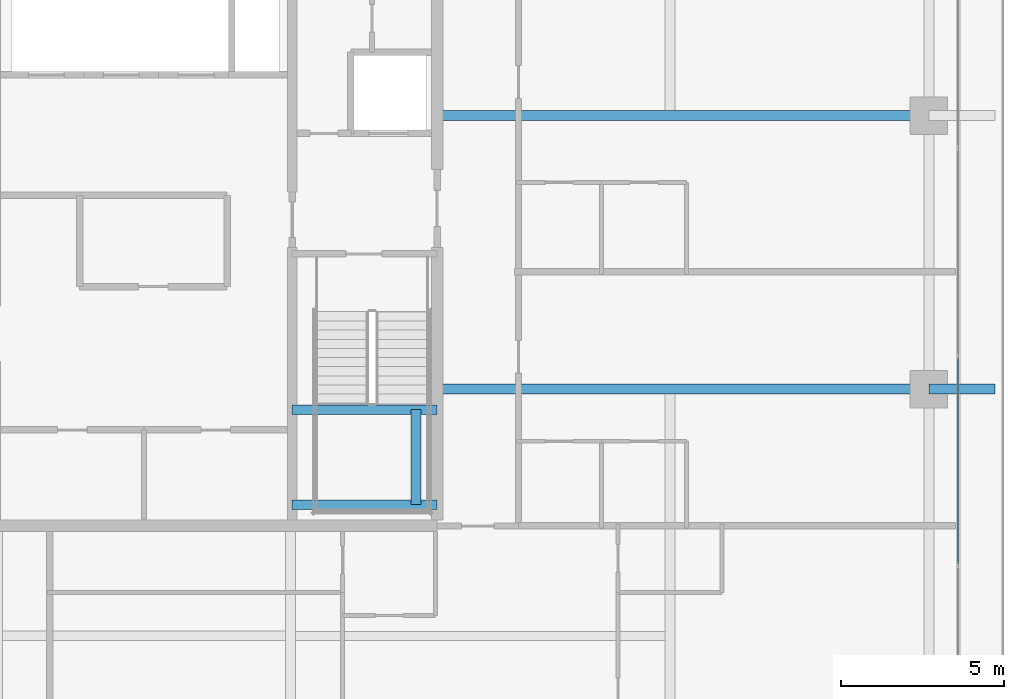
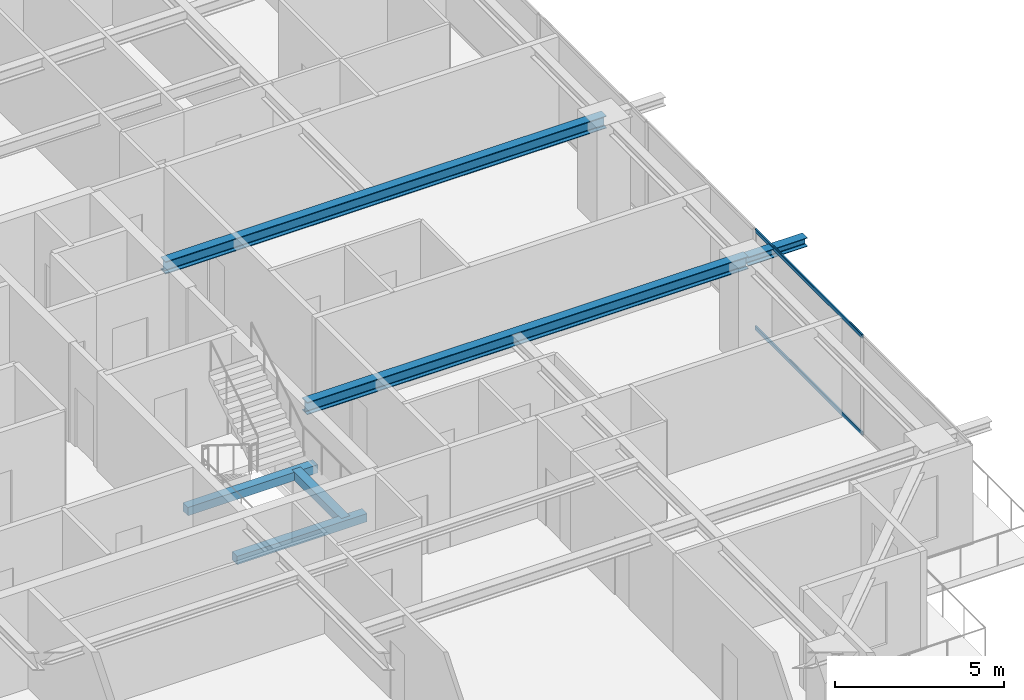
# One storey, part 15 of 38: 6 beams, 2 members, 1 element without a shape of its own.
"""IFC4 building model written with IfcOpenShell, lengths in metres."""

from ifc_helpers import new_model, si_unit, direction, frame, origin, origin_2d, place, context, subcontext, project, spatial, rectangle, hollow_rectangle, i_section, extrude, source, transform, mapped, material, layer, layer_set, material_profile, profile_set, type_object, element, aggregate, save


model = new_model("IFC4")

# Units and contexts
model_context = context("Model", 3, precision=1e-05, world=origin(), true_north=direction((0.0, 1.0)))
body_context = subcontext(model_context, "Body", "Model", "MODEL_VIEW")
ifc_project = project(units=[si_unit("LENGTHUNIT", "METRE"), si_unit("AREAUNIT", "SQUARE_METRE"), si_unit("VOLUMEUNIT", "CUBIC_METRE"), si_unit("PLANEANGLEUNIT", "RADIAN"), si_unit("MASSUNIT", "GRAM", prefix="KILO")], contexts=[model_context])

# Site, building, storey
site_placement = place(None, origin())
site = spatial("IfcSite", under=ifc_project, at=site_placement, CompositionType="ELEMENT")
building_placement = place(site_placement, origin())
building = spatial("IfcBuilding", under=site, at=building_placement, Name="Serunith Strait Residences", CompositionType="ELEMENT")
storey_placement = place(building_placement, frame((0.0, 0.0, 237.39990234375)))
storey = spatial("IfcBuildingStorey", under=building, at=storey_placement, Name="L59", CompositionType="ELEMENT", Elevation=237.39990234375)

# Beams
ifc_material_1 = material(Name="Steel S355J2", Category="steel")
ifc_material_profile_1 = material_profile(ifc_material_1, i_section(OverallWidth=0.300048828125, OverallDepth=0.449951171875, WebThickness=0.013916015625, FlangeThickness=0.02587890625, FilletRadius=0.027099609375, at=origin_2d()), Name="HEB 450")
ifc_profile_set_1 = profile_set([ifc_material_profile_1], Name="Steel S355J2")
beam_type_1 = type_object("IfcBeamType", Name="BM-HEB450", PredefinedType="BEAM", material=ifc_profile_set_1)
shared_shape_1 = source(origin(), body_context, "Body", "SweptSolid", [
    extrude(i_section(OverallWidth=0.300048828125, OverallDepth=0.449951171875, WebThickness=0.013916015625, FlangeThickness=0.02587890625, FilletRadius=0.027099609375, at=origin_2d()), origin(), (0.0, 0.0, 1.0), 15.10009765625),
])
for number, where, z_axis, x_axis, name in (
    (1, (41.39990234375, 21.0, 3.362060546875), (1.0, 0.0, 0.0), (0.0, 1.0, 0.0), "L59 Primary Floor Girder TC-E2"),
    (2, (41.39990234375, 29.39990234375, 3.362060546875), (1.0, 0.0, 0.0), (0.0, 1.0, 0.0), "L59 Primary Floor Girder TC-E3"),
):
    element("IfcBeam", number, at=place(storey_placement, frame(where, z_axis=z_axis, x_axis=x_axis)), inside=storey, type_object=beam_type_1, Name=name, PredefinedType="BEAM", context=body_context, shape_type="MappedRepresentation", body=[
        mapped(shared_shape_1, transform((0.0, 0.0, 0.0), scale=1.0)),
    ])
ifc_material_profile_2 = material_profile(ifc_material_1, i_section(OverallWidth=0.300048828125, OverallDepth=0.320068359375, WebThickness=0.011474609375, FlangeThickness=0.0205078125, FilletRadius=0.027099609375, at=origin_2d()), Name="HEB 320")
ifc_profile_set_2 = profile_set([ifc_material_profile_2], Name="Steel S355J2")
beam_type_2 = type_object("IfcBeamType", Name="BM-HEB320", PredefinedType="BEAM", material=ifc_profile_set_2)
shared_shape_2 = source(origin(), body_context, "Body", "SweptSolid", [
    extrude(i_section(OverallWidth=0.300048828125, OverallDepth=0.320068359375, WebThickness=0.011474609375, FlangeThickness=0.0205078125, FilletRadius=0.027099609375, at=origin_2d()), origin(), (0.0, 0.0, 1.0), 2.030029296875),
])
beam_1_placement = place(storey_placement, frame((56.5, 21.0, 3.397216796875), z_axis=(1.0, 0.0, 0.0), x_axis=(0.0, 1.0, 0.0)))
element("IfcBeam", 3, at=beam_1_placement, inside=storey, type_object=beam_type_2, Name="L60 Cantilevered Balcony Rib TC-E2", PredefinedType="BEAM", context=body_context, shape_type="MappedRepresentation", body=[
    mapped(shared_shape_2, transform((0.0, 0.0, 0.0), scale=1.0)),
])
ifc_material_2 = material(Name="Concrete C60/75", Category="concrete")
ifc_material_profile_3 = material_profile(ifc_material_2, rectangle(XDim=0.300048828125, YDim=0.300048828125, at=origin_2d()), Name="RC 300x300")
ifc_profile_set_3 = profile_set([ifc_material_profile_3], Name="Concrete C60/75")
beam_type_3 = type_object("IfcBeamType", Name="BM-LAND-300x300", PredefinedType="BEAM", material=ifc_profile_set_3)
shared_shape_3 = source(origin(), body_context, "Body", "SweptSolid", [
    extrude(rectangle(XDim=0.300048828125, YDim=0.300048828125, at=origin_2d()), origin(), (0.0, 0.0, 1.0), 4.449951171875),
])
for number, where, z_axis, x_axis, name in (
    (4, (36.949951171875, 17.449951171875, 1.5751953125), (1.0, 0.0, 0.0), (0.0, 1.0, 0.0), "L59 ST-2 Landing Support Beam 1"),
    (5, (36.949951171875, 20.3701171875, 1.5751953125), (1.0, 0.0, 0.0), (0.0, 1.0, 0.0), "L59 ST-2 Landing Support Beam 2"),
):
    element("IfcBeam", number, at=place(storey_placement, frame(where, z_axis=z_axis, x_axis=x_axis)), inside=storey, type_object=beam_type_3, Name=name, PredefinedType="BEAM", context=body_context, shape_type="MappedRepresentation", body=[
        mapped(shared_shape_3, transform((0.0, 0.0, 0.0), scale=1.0)),
    ])
shared_shape_4 = source(origin(), body_context, "Body", "SweptSolid", [
    extrude(rectangle(XDim=0.300048828125, YDim=0.300048828125, at=origin_2d()), origin(), (0.0, 0.0, 1.0), 2.920166015625),
])
beam_2_placement = place(storey_placement, frame((40.75, 17.449951171875, 1.5751953125), z_axis=(0.0, 1.0, 0.0), x_axis=(-1.0, 0.0, 0.0)))
element("IfcBeam", 6, at=beam_2_placement, inside=storey, type_object=beam_type_3, Name="L59 ST-2 Landing Transverse Tie Beam", PredefinedType="BEAM", context=body_context, shape_type="MappedRepresentation", body=[
    mapped(shared_shape_4, transform((0.0, 0.0, 0.0), scale=1.0)),
])

# Curtain wall, members
ifc_material_3 = material(Name="Pale-Champagne Anodised Aluminium", Category="aluminium")
ifc_layer = layer(ifc_material_3, 0.199951171875, Name="Pale-Champagne Anodised Aluminium")
ifc_layer_set = layer_set([ifc_layer], Name="Pale-Champagne Anodised Aluminium")
curtain_wall_type = type_object("IfcCurtainWallType", Name="CW-SYS4", PredefinedType="NOTDEFINED", material=ifc_layer_set)
curtain_wall_placement = place(storey_placement, origin())
curtain_wall = element("IfcCurtainWall", 7, at=curtain_wall_placement, inside=storey, type_object=curtain_wall_type, Name="L59 E Unitised Fritted Curtain Wall", PredefinedType="NOTDEFINED")
ifc_material_profile_4 = material_profile(ifc_material_3, hollow_rectangle(XDim=0.06005859375, YDim=0.139892578125, WallThickness=0.00341796875, InnerFilletRadius=0.00537109375, OuterFilletRadius=0.0087890625, at=origin_2d()), Name="ALU 140x60x3.5")
ifc_profile_set_4 = profile_set([ifc_material_profile_4], Name="Pale-Champagne Anodised Aluminium")
member_type = type_object("IfcMemberType", Name="CW-SYS4-TRAN", PredefinedType="USERDEFINED", material=ifc_profile_set_4)
shared_shape_5 = source(origin(), body_context, "Body", "SweptSolid", [
    extrude(hollow_rectangle(XDim=0.06005859375, YDim=0.139892578125, WallThickness=0.00341796875, InnerFilletRadius=0.00537109375, OuterFilletRadius=0.0087890625, at=origin_2d()), origin(), (0.0, 0.0, 1.0), 6.3349609375),
])
member_1_placement = place(storey_placement, frame((57.39990234375, 15.632568359375, 0.030029296875), z_axis=(0.0, 1.0, 0.0), x_axis=(-1.0, 0.0, 0.0)))
member_1 = element("IfcMember", 8, at=member_1_placement, type_object=member_type, Name="CW-4 transom 2.1", ObjectType="TRANSOM", PredefinedType="USERDEFINED", context=body_context, shape_type="MappedRepresentation", body=[
    mapped(shared_shape_5, transform((0.0, 0.0, 0.0), scale=1.0)),
])
member_2_placement = place(storey_placement, frame((57.39990234375, 15.632568359375, 3.545166015625), z_axis=(0.0, 1.0, 0.0), x_axis=(-1.0, 0.0, 0.0)))
member_2 = element("IfcMember", 9, at=member_2_placement, type_object=member_type, Name="CW-4 transom 2.2", ObjectType="TRANSOM", PredefinedType="USERDEFINED", context=body_context, shape_type="MappedRepresentation", body=[
    mapped(shared_shape_5, transform((0.0, 0.0, 0.0), scale=1.0)),
])
aggregate(curtain_wall, [member_1, member_2])

save(model, "model.ifc")
